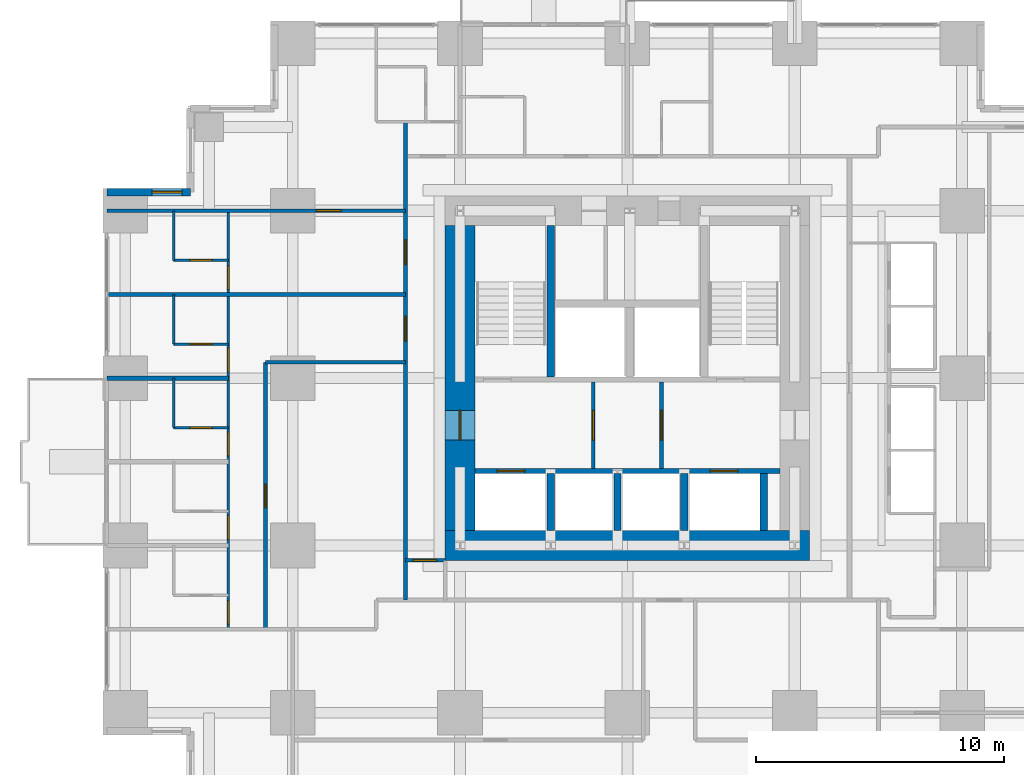
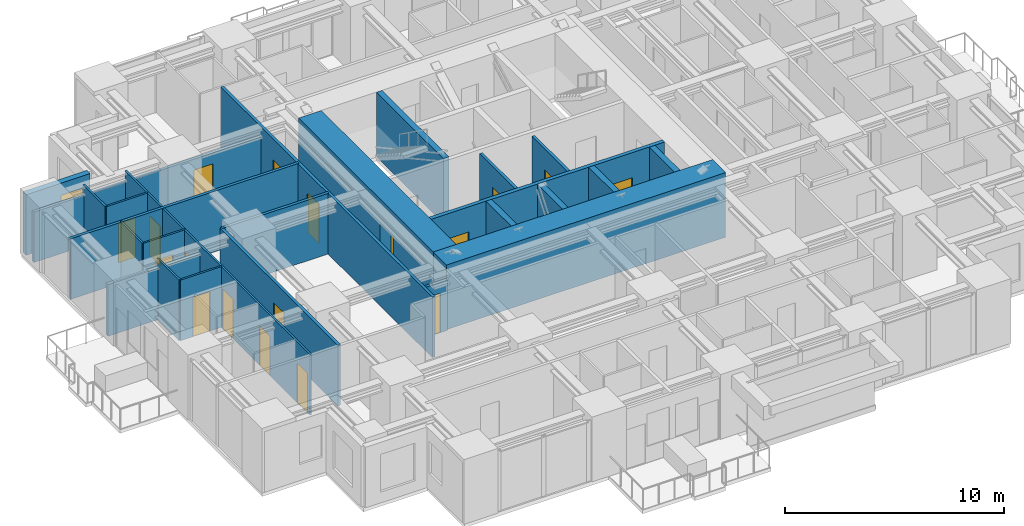
# One storey, part 8 of 13: 25 walls, 18 doors, 1 window, 19 openings.
"""IFC4 building model written with IfcOpenShell, lengths in metres."""

from ifc_helpers import new_model, si_unit, direction, frame, frame_2d, origin, place, context, subcontext, project, spatial, rectangle, extrude, material, layer, layer_set, type_object, element, fill, save


model = new_model("IFC4")

# Units and contexts
model_context = context("Model", 3, precision=1e-05, world=origin(), true_north=direction((0.0, 1.0)))
body_context = subcontext(model_context, "Body", "Model", "MODEL_VIEW")
ifc_project = project(units=[si_unit("LENGTHUNIT", "METRE"), si_unit("AREAUNIT", "SQUARE_METRE"), si_unit("VOLUMEUNIT", "CUBIC_METRE"), si_unit("PLANEANGLEUNIT", "RADIAN"), si_unit("MASSUNIT", "GRAM", prefix="KILO")], contexts=[model_context])

# Site, building, storey
site_placement = place(None, origin())
site = spatial("IfcSite", under=ifc_project, at=site_placement, CompositionType="ELEMENT")
building_placement = place(site_placement, origin())
building = spatial("IfcBuilding", under=site, at=building_placement, Name="Nyansa Garden Tower", CompositionType="ELEMENT")
storey_placement = place(building_placement, frame((0.0, 0.0, 94.5)))
storey = spatial("IfcBuildingStorey", under=building, at=storey_placement, Name="L25", CompositionType="ELEMENT", Elevation=94.5)

# Wall
ifc_material_1 = material(Name="Dense blockwork, plastered both sides, 55 dB", Category="masonry")
ifc_layer_1 = layer(ifc_material_1, 0.175048828125)
ifc_layer_set_1 = layer_set([ifc_layer_1], Name="Acoustic party wall PW175")
wall_type_1 = type_object("IfcWallType", Name="Acoustic party wall PW175", PredefinedType="PARTITIONING", material=ifc_layer_set_1)
wall_1_placement = place(storey_placement, frame((-0.73388671875, 20.25, 0.0), z_axis=(0.0, 0.0, 1.0), x_axis=(1.0, 0.0, 0.0)))
element("IfcWall", 1, at=wall_1_placement, inside=storey, type_object=wall_type_1, Name="Party wall", PredefinedType="PARTITIONING", context=body_context, shape_type="SweptSolid", body=[
    extrude(rectangle(XDim=4.8837890625, YDim=0.175048828125, at=frame_2d((2.44189453125, 0.0))), origin(), (0.0, 0.0, 1.0), 2.876953125),
])

# Wall, openings, doors
ifc_material_2 = material(Name="Concrete C70/85", Category="concrete")
ifc_layer_2 = layer(ifc_material_2, 0.199951171875)
ifc_layer_set_2 = layer_set([ifc_layer_2], Name="Core inner wall CI200")
wall_type_2 = type_object("IfcWallType", Name="Core inner wall CI200", PredefinedType="SHEAR", material=ifc_layer_set_2)
wall_2_placement = place(storey_placement, frame((14.10009765625, 16.5, 0.0), z_axis=(0.0, 0.0, 1.0), x_axis=(1.0, 0.0, 0.0)))
wall_2 = element("IfcWall", 2, at=wall_2_placement, inside=storey, type_object=wall_type_2, Name="Core inner wall L25", PredefinedType="SHEAR", context=body_context, shape_type="SweptSolid", body=[
    extrude(rectangle(XDim=12.2998046875, YDim=0.199951171875, at=frame_2d((6.14990234375, 0.0))), origin(), (0.0, 0.0, 1.0), 3.60009765625),
])
opening_1_placement = place(wall_2_placement, frame((0.89990234375, 0.0, 0.0)))
opening_1 = element("IfcOpeningElement", 3, at=opening_1_placement, cuts=wall_2, Name="Opening LD-F", PredefinedType="OPENING", context=body_context, shape_type="SweptSolid", body=[
    extrude(rectangle(XDim=1.10009765625, YDim=2.199951171875, at=frame_2d((0.550048828125, 1.10009765625))), frame((0.0, 0.10986328125, 0.0), z_axis=(0.0, -1.0, 0.0), x_axis=(1.0, 0.0, 0.0)), (0.0, 0.0, 1.0), 0.219970703125),
])
opening_2_placement = place(wall_2_placement, frame((9.5, 0.0, 0.0)))
opening_2 = element("IfcOpeningElement", 4, at=opening_2_placement, cuts=wall_2, Name="Opening LD-F", PredefinedType="OPENING", context=body_context, shape_type="SweptSolid", body=[
    extrude(rectangle(XDim=1.10009765625, YDim=2.199951171875, at=frame_2d((0.550048828125, 1.10009765625))), frame((0.0, 0.10986328125, 0.0), z_axis=(0.0, -1.0, 0.0), x_axis=(1.0, 0.0, 0.0)), (0.0, 0.0, 1.0), 0.219970703125),
])
ifc_material_3 = material(Name="Stainless steel centre-opening landing door of the firefighting lift, EN 81-72, E 120", Category="steel")
door_type_1 = type_object("IfcDoorType", Name="Lift landing door LD-F 1100x2200", OperationType="DOUBLE_DOOR_SLIDING", PredefinedType="DOOR", material=ifc_material_3)
door_1_placement = place(opening_1_placement, origin())
door_1 = element("IfcDoor", 5, at=door_1_placement, inside=storey, type_object=door_type_1, Name="Landing door FF1", OperationType="DOUBLE_DOOR_SLIDING", OverallHeight=2.199951171875, OverallWidth=1.10009765625, PredefinedType="DOOR", context=body_context, shape_type="SweptSolid", body=[
    extrude(rectangle(XDim=1.10009765625, YDim=2.199951171875, at=frame_2d((0.550048828125, 1.10009765625))), frame((0.0, 0.02490234375, 0.0), z_axis=(0.0, -1.0, 0.0), x_axis=(1.0, 0.0, 0.0)), (0.0, 0.0, 1.0), 0.050048828125),
])
fill(opening_1, door_1)
door_2_placement = place(opening_2_placement, origin())
door_2 = element("IfcDoor", 6, at=door_2_placement, inside=storey, type_object=door_type_1, Name="Landing door FF2", OperationType="DOUBLE_DOOR_SLIDING", OverallHeight=2.199951171875, OverallWidth=1.10009765625, PredefinedType="DOOR", context=body_context, shape_type="SweptSolid", body=[
    extrude(rectangle(XDim=1.10009765625, YDim=2.199951171875, at=frame_2d((0.550048828125, 1.10009765625))), frame((0.0, 0.02490234375, 0.0), z_axis=(0.0, -1.0, 0.0), x_axis=(1.0, 0.0, 0.0)), (0.0, 0.0, 1.0), 0.050048828125),
])
fill(opening_2, door_2)

# Walls
ifc_material_4 = material(Name="Concrete C70/85", Category="concrete")
ifc_layer_3 = layer(ifc_material_4, 0.300048828125)
ifc_layer_set_3 = layer_set([ifc_layer_3], Name="Core inner wall CI300")
wall_type_3 = type_object("IfcWallType", Name="Core inner wall CI300", PredefinedType="SHEAR", material=ifc_layer_set_3)
wall_3_placement = place(storey_placement, frame((17.14990234375, 20.300048828125, 0.0), z_axis=(0.0, 0.0, 1.0), x_axis=(0.0, 1.0, 0.0)))
element("IfcWall", 7, at=wall_3_placement, inside=storey, type_object=wall_type_3, Name="Core inner wall L25", PredefinedType="SHEAR", context=body_context, shape_type="SweptSolid", body=[
    extrude(rectangle(XDim=6.099853515625, YDim=0.300048828125, at=frame_2d((3.0498046875, 0.0))), origin(), (0.0, 0.0, 1.0), 3.60009765625),
])
for number, where, z_axis, x_axis, name in (
    (8, (17.14990234375, 14.10009765625, 0.0), (0.0, 0.0, 1.0), (0.0, 1.0, 0.0), "Core inner wall L25"),
    (9, (19.85009765625, 14.10009765625, 0.0), (0.0, 0.0, 1.0), (0.0, 1.0, 0.0), "Core inner wall L25"),
    (10, (22.550048828125, 14.10009765625, 0.0), (0.0, 0.0, 1.0), (0.0, 1.0, 0.0), "Core inner wall L25"),
    (11, (25.75, 14.10009765625, 0.0), (0.0, 0.0, 1.0), (0.0, 1.0, 0.0), "Core inner wall L25"),
):
    element("IfcWall", number, at=place(storey_placement, frame(where, z_axis=z_axis, x_axis=x_axis)), inside=storey, type_object=wall_type_3, Name=name, PredefinedType="SHEAR", context=body_context, shape_type="SweptSolid", body=[
        extrude(rectangle(XDim=2.2998046875, YDim=0.300048828125, at=frame_2d((1.14990234375, 0.0))), origin(), (0.0, 0.0, 1.0), 3.60009765625),
    ])
ifc_material_5 = material(Name="Concrete C80/95", Category="concrete")
ifc_layer_4 = layer(ifc_material_5, 1.199951171875)
ifc_layer_set_4 = layer_set([ifc_layer_4], Name="Core wall CW1200")
wall_type_4 = type_object("IfcWallType", Name="Core wall CW1200", PredefinedType="SHEAR", material=ifc_layer_set_4)
wall_4_placement = place(storey_placement, frame((12.89990234375, 13.5, 0.0), z_axis=(0.0, 0.0, 1.0), x_axis=(1.0, 0.0, 0.0)))
element("IfcWall", 12, at=wall_4_placement, inside=storey, type_object=wall_type_4, Name="Core wall S L25", PredefinedType="SHEAR", context=body_context, shape_type="SweptSolid", body=[
    extrude(rectangle(XDim=14.7001953125, YDim=1.199951171875, at=frame_2d((7.35009765625, 0.0))), origin(), (0.0, 0.0, 1.0), 3.60009765625),
])

# Wall, opening, door
wall_5_placement = place(storey_placement, frame((13.5, 26.39990234375, 0.0), z_axis=(0.0, 0.0, 1.0), x_axis=(0.0, -1.0, 0.0)))
wall_5 = element("IfcWall", 13, at=wall_5_placement, inside=storey, type_object=wall_type_4, Name="Core wall W L25", PredefinedType="SHEAR", context=body_context, shape_type="SweptSolid", body=[
    extrude(rectangle(XDim=12.2998046875, YDim=1.199951171875, at=frame_2d((6.14990234375, 0.0))), origin(), (0.0, 0.0, 1.0), 3.60009765625),
])
opening_3_placement = place(wall_5_placement, frame((7.449951171875, 0.0, 0.0)))
opening_3 = element("IfcOpeningElement", 14, at=opening_3_placement, cuts=wall_5, Name="Opening D06", PredefinedType="OPENING", context=body_context, shape_type="SweptSolid", body=[
    extrude(rectangle(XDim=1.199951171875, YDim=2.199951171875, at=frame_2d((0.60009765625, 1.10009765625))), frame((0.0, 0.60986328125, 0.0), z_axis=(0.0, -1.0, 0.0), x_axis=(1.0, 0.0, 0.0)), (0.0, 0.0, 1.0), 1.219970703125),
])
ifc_material_6 = material(Name="Steel door, 120 minute fire resisting", Category="steel")
door_type_2 = type_object("IfcDoorType", Name="Lobby door D06 1200x2200", OperationType="DOUBLE_DOOR_SINGLE_SWING", PredefinedType="DOOR", material=ifc_material_6)
door_3_placement = place(opening_3_placement, origin())
door_3 = element("IfcDoor", 15, at=door_3_placement, inside=storey, type_object=door_type_2, Name="Lift lobby door west", OperationType="DOUBLE_DOOR_SINGLE_SWING", OverallHeight=2.199951171875, OverallWidth=1.199951171875, PredefinedType="DOOR", context=body_context, shape_type="SweptSolid", body=[
    extrude(rectangle(XDim=1.199951171875, YDim=2.199951171875, at=frame_2d((0.60009765625, 1.10009765625))), frame((0.0, 0.02490234375, 0.0), z_axis=(0.0, -1.0, 0.0), x_axis=(1.0, 0.0, 0.0)), (0.0, 0.0, 1.0), 0.050048828125),
])
fill(opening_3, door_3)

ifc_material_7 = material(Name="Blockwork, plastered both sides", Category="masonry")
ifc_layer_5 = layer(ifc_material_7, 0.14990234375)
ifc_layer_set_5 = layer_set([ifc_layer_5], Name="Partition PW150")
wall_type_5 = type_object("IfcWallType", Name="Partition PW150", PredefinedType="PARTITIONING", material=ifc_layer_set_5)
wall_6_placement = place(storey_placement, frame((18.875, 16.60009765625, 0.0), z_axis=(0.0, 0.0, 1.0), x_axis=(0.0, 1.0, 0.0)))
wall_6 = element("IfcWall", 16, at=wall_6_placement, inside=storey, type_object=wall_type_5, Name="Partition", PredefinedType="PARTITIONING", context=body_context, shape_type="SweptSolid", body=[
    extrude(rectangle(XDim=3.5, YDim=0.14990234375, at=frame_2d((1.75, 0.0))), origin(), (0.0, 0.0, 1.0), 3.375),
])
opening_4_placement = place(wall_6_placement, frame((1.14990234375, 0.0, 0.0)))
opening_4 = element("IfcOpeningElement", 17, at=opening_4_placement, cuts=wall_6, Name="Opening D06", PredefinedType="OPENING", context=body_context, shape_type="SweptSolid", body=[
    extrude(rectangle(XDim=1.199951171875, YDim=2.199951171875, at=frame_2d((0.60009765625, 1.10009765625))), frame((0.0, 0.0849609375, 0.0), z_axis=(0.0, -1.0, 0.0), x_axis=(1.0, 0.0, 0.0)), (0.0, 0.0, 1.0), 0.169921875),
])
door_4_placement = place(opening_4_placement, origin())
door_4 = element("IfcDoor", 18, at=door_4_placement, inside=storey, type_object=door_type_2, Name="Passenger lift lobby door", OperationType="DOUBLE_DOOR_SINGLE_SWING", OverallHeight=2.199951171875, OverallWidth=1.199951171875, PredefinedType="DOOR", context=body_context, shape_type="SweptSolid", body=[
    extrude(rectangle(XDim=1.199951171875, YDim=2.199951171875, at=frame_2d((0.60009765625, 1.10009765625))), frame((0.0, 0.02490234375, 0.0), z_axis=(0.0, -1.0, 0.0), x_axis=(1.0, 0.0, 0.0)), (0.0, 0.0, 1.0), 0.050048828125),
])
fill(opening_4, door_4)

wall_7_placement = place(storey_placement, frame((21.625, 16.60009765625, 0.0), z_axis=(0.0, 0.0, 1.0), x_axis=(0.0, 1.0, 0.0)))
wall_7 = element("IfcWall", 19, at=wall_7_placement, inside=storey, type_object=wall_type_5, Name="Partition", PredefinedType="PARTITIONING", context=body_context, shape_type="SweptSolid", body=[
    extrude(rectangle(XDim=3.5, YDim=0.14990234375, at=frame_2d((1.75, 0.0))), origin(), (0.0, 0.0, 1.0), 3.375),
])
opening_5_placement = place(wall_7_placement, frame((1.14990234375, 0.0, 0.0)))
opening_5 = element("IfcOpeningElement", 20, at=opening_5_placement, cuts=wall_7, Name="Opening D06", PredefinedType="OPENING", context=body_context, shape_type="SweptSolid", body=[
    extrude(rectangle(XDim=1.199951171875, YDim=2.199951171875, at=frame_2d((0.60009765625, 1.10009765625))), frame((0.0, 0.0849609375, 0.0), z_axis=(0.0, -1.0, 0.0), x_axis=(1.0, 0.0, 0.0)), (0.0, 0.0, 1.0), 0.169921875),
])
door_5_placement = place(opening_5_placement, origin())
door_5 = element("IfcDoor", 21, at=door_5_placement, inside=storey, type_object=door_type_2, Name="Passenger lift lobby door", OperationType="DOUBLE_DOOR_SINGLE_SWING", OverallHeight=2.199951171875, OverallWidth=1.199951171875, PredefinedType="DOOR", context=body_context, shape_type="SweptSolid", body=[
    extrude(rectangle(XDim=1.199951171875, YDim=2.199951171875, at=frame_2d((0.60009765625, 1.10009765625))), frame((0.0, 0.02490234375, 0.0), z_axis=(0.0, -1.0, 0.0), x_axis=(1.0, 0.0, 0.0)), (0.0, 0.0, 1.0), 0.050048828125),
])
fill(opening_5, door_5)

# Wall
wall_8_placement = place(storey_placement, frame((-0.73388671875, 23.625, 0.0), z_axis=(0.0, 0.0, 1.0), x_axis=(1.0, 0.0, 0.0)))
element("IfcWall", 22, at=wall_8_placement, inside=storey, type_object=wall_type_5, Name="Partition", PredefinedType="PARTITIONING", context=body_context, shape_type="SweptSolid", body=[
    extrude(rectangle(XDim=12.033935546875, YDim=0.14990234375, at=frame_2d((6.01708984375, 0.0))), origin(), (0.0, 0.0, 1.0), 3.375),
])

# Wall, opening, door
wall_9_placement = place(storey_placement, frame((-0.73388671875, 27.0, 0.0), z_axis=(0.0, 0.0, 1.0), x_axis=(1.0, 0.0, 0.0)))
wall_9 = element("IfcWall", 23, at=wall_9_placement, inside=storey, type_object=wall_type_5, Name="Partition", PredefinedType="PARTITIONING", context=body_context, shape_type="SweptSolid", body=[
    extrude(rectangle(XDim=12.033935546875, YDim=0.14990234375, at=frame_2d((6.01708984375, 0.0))), origin(), (0.0, 0.0, 1.0), 2.805908203125),
])
opening_6_placement = place(wall_9_placement, frame((8.43408203125, 0.0, 0.0)))
opening_6 = element("IfcOpeningElement", 24, at=opening_6_placement, cuts=wall_9, Name="Opening D03", PredefinedType="OPENING", context=body_context, shape_type="SweptSolid", body=[
    extrude(rectangle(XDim=1.0, YDim=2.199951171875, at=frame_2d((0.5, 1.10009765625))), frame((0.0, 0.0849609375, 0.0), z_axis=(0.0, -1.0, 0.0), x_axis=(1.0, 0.0, 0.0)), (0.0, 0.0, 1.0), 0.169921875),
])
ifc_material_8 = material(Name="Timber flush door, 60 minute fire resisting", Category="wood")
door_type_3 = type_object("IfcDoorType", Name="Cluster entrance door D03 1000x2200", OperationType="SINGLE_SWING_LEFT", PredefinedType="DOOR", material=ifc_material_8)
door_6_placement = place(opening_6_placement, origin())
door_6 = element("IfcDoor", 25, at=door_6_placement, inside=storey, type_object=door_type_3, Name="Door L25-051", OperationType="SINGLE_SWING_LEFT", OverallHeight=2.199951171875, OverallWidth=1.0, PredefinedType="DOOR", context=body_context, shape_type="SweptSolid", body=[
    extrude(rectangle(XDim=1.0, YDim=2.199951171875, at=frame_2d((0.5, 1.10009765625))), frame((0.0, 0.02490234375, 0.0), z_axis=(0.0, -1.0, 0.0), x_axis=(1.0, 0.0, 0.0)), (0.0, 0.0, 1.0), 0.050048828125),
])
fill(opening_6, door_6)

wall_10_placement = place(storey_placement, frame((5.64990234375, 10.125, 0.0), z_axis=(0.0, 0.0, 1.0), x_axis=(0.0, 1.0, 0.0)))
wall_10 = element("IfcWall", 26, at=wall_10_placement, inside=storey, type_object=wall_type_5, Name="Partition", PredefinedType="PARTITIONING", context=body_context, shape_type="SweptSolid", body=[
    extrude(rectangle(XDim=10.762451171875, YDim=0.14990234375, at=frame_2d((5.38134765625, 0.0))), origin(), (0.0, 0.0, 1.0), 3.375),
])
opening_7_placement = place(wall_10_placement, frame((4.89990234375, 0.0, 0.0)))
opening_7 = element("IfcOpeningElement", 27, at=opening_7_placement, cuts=wall_10, Name="Opening D01", PredefinedType="OPENING", context=body_context, shape_type="SweptSolid", body=[
    extrude(rectangle(XDim=0.949951171875, YDim=2.199951171875, at=frame_2d((0.47509765625, 1.10009765625))), frame((0.0, 0.0849609375, 0.0), z_axis=(0.0, -1.0, 0.0), x_axis=(1.0, 0.0, 0.0)), (0.0, 0.0, 1.0), 0.169921875),
])
ifc_material_9 = material(Name="Timber flush door, 30 minute fire resisting", Category="wood")
door_type_4 = type_object("IfcDoorType", Name="Bedroom door D01 950x2200", OperationType="SINGLE_SWING_LEFT", PredefinedType="DOOR", material=ifc_material_9)
door_7_placement = place(opening_7_placement, origin())
door_7 = element("IfcDoor", 28, at=door_7_placement, inside=storey, type_object=door_type_4, Name="Door L25-064", OperationType="SINGLE_SWING_LEFT", OverallHeight=2.199951171875, OverallWidth=0.949951171875, PredefinedType="DOOR", context=body_context, shape_type="SweptSolid", body=[
    extrude(rectangle(XDim=0.949951171875, YDim=2.199951171875, at=frame_2d((0.47509765625, 1.10009765625))), frame((0.0, 0.02490234375, 0.0), z_axis=(0.0, -1.0, 0.0), x_axis=(1.0, 0.0, 0.0)), (0.0, 0.0, 1.0), 0.050048828125),
])
fill(opening_7, door_7)

# Wall
wall_11_placement = place(storey_placement, frame((5.64990234375, 20.886962890625, 0.0), z_axis=(0.0, 0.0, 1.0), x_axis=(1.0, 0.0, 0.0)))
element("IfcWall", 29, at=wall_11_placement, inside=storey, type_object=wall_type_5, Name="Partition", PredefinedType="PARTITIONING", context=body_context, shape_type="SweptSolid", body=[
    extrude(rectangle(XDim=5.650146484375, YDim=0.14990234375, at=frame_2d((2.8251953125, 0.0))), origin(), (0.0, 0.0, 1.0), 3.375),
])

# Wall, openings, doors
wall_12_placement = place(storey_placement, frame((11.300048828125, 11.300048828125, 0.0), z_axis=(0.0, 0.0, 1.0), x_axis=(0.0, 1.0, 0.0)))
wall_12 = element("IfcWall", 30, at=wall_12_placement, inside=storey, type_object=wall_type_5, Name="Partition", PredefinedType="PARTITIONING", context=body_context, shape_type="SweptSolid", body=[
    extrude(rectangle(XDim=19.300048828125, YDim=0.14990234375, at=frame_2d((9.64990234375, 0.0))), origin(), (0.0, 0.0, 1.0), 3.375),
])
opening_8_placement = place(wall_12_placement, frame((13.52490234375, 0.0, 0.0)))
opening_8 = element("IfcOpeningElement", 31, at=opening_8_placement, cuts=wall_12, Name="Opening D03", PredefinedType="OPENING", context=body_context, shape_type="SweptSolid", body=[
    extrude(rectangle(XDim=1.0, YDim=2.199951171875, at=frame_2d((0.5, 1.10009765625))), frame((0.0, 0.0849609375, 0.0), z_axis=(0.0, -1.0, 0.0), x_axis=(1.0, 0.0, 0.0)), (0.0, 0.0, 1.0), 0.169921875),
])
opening_9_placement = place(wall_12_placement, frame((10.4375, 0.0, 0.0)))
opening_9 = element("IfcOpeningElement", 32, at=opening_9_placement, cuts=wall_12, Name="Opening D03", PredefinedType="OPENING", context=body_context, shape_type="SweptSolid", body=[
    extrude(rectangle(XDim=1.0, YDim=2.199951171875, at=frame_2d((0.5, 1.10009765625))), frame((0.0, 0.0849609375, 0.0), z_axis=(0.0, -1.0, 0.0), x_axis=(1.0, 0.0, 0.0)), (0.0, 0.0, 1.0), 0.169921875),
])
door_8_placement = place(opening_8_placement, origin())
door_8 = element("IfcDoor", 33, at=door_8_placement, inside=storey, type_object=door_type_3, Name="Door L25-054", OperationType="SINGLE_SWING_LEFT", OverallHeight=2.199951171875, OverallWidth=1.0, PredefinedType="DOOR", context=body_context, shape_type="SweptSolid", body=[
    extrude(rectangle(XDim=1.0, YDim=2.199951171875, at=frame_2d((0.5, 1.10009765625))), frame((0.0, 0.02490234375, 0.0), z_axis=(0.0, -1.0, 0.0), x_axis=(1.0, 0.0, 0.0)), (0.0, 0.0, 1.0), 0.050048828125),
])
fill(opening_8, door_8)
door_9_placement = place(opening_9_placement, origin())
door_9 = element("IfcDoor", 34, at=door_9_placement, inside=storey, type_object=door_type_3, Name="Door L25-063", OperationType="SINGLE_SWING_LEFT", OverallHeight=2.199951171875, OverallWidth=1.0, PredefinedType="DOOR", context=body_context, shape_type="SweptSolid", body=[
    extrude(rectangle(XDim=1.0, YDim=2.199951171875, at=frame_2d((0.5, 1.10009765625))), frame((0.0, 0.02490234375, 0.0), z_axis=(0.0, -1.0, 0.0), x_axis=(1.0, 0.0, 0.0)), (0.0, 0.0, 1.0), 0.050048828125),
])
fill(opening_9, door_9)

# Wall, opening, door
wall_13_placement = place(storey_placement, frame((11.300048828125, 12.89990234375, 0.0), z_axis=(0.0, 0.0, 1.0), x_axis=(1.0, 0.0, 0.0)))
wall_13 = element("IfcWall", 35, at=wall_13_placement, inside=storey, type_object=wall_type_5, Name="Partition", PredefinedType="PARTITIONING", context=body_context, shape_type="SweptSolid", body=[
    extrude(rectangle(XDim=1.599853515625, YDim=0.14990234375, at=frame_2d((0.7998046875, 0.0))), origin(), (0.0, 0.0, 1.0), 2.805908203125),
])
opening_10_placement = place(wall_13_placement, frame((0.300048828125, 0.0, 0.0)))
opening_10 = element("IfcOpeningElement", 36, at=opening_10_placement, cuts=wall_13, Name="Opening D01", PredefinedType="OPENING", context=body_context, shape_type="SweptSolid", body=[
    extrude(rectangle(XDim=0.949951171875, YDim=2.199951171875, at=frame_2d((0.47509765625, 1.10009765625))), frame((0.0, 0.0849609375, 0.0), z_axis=(0.0, -1.0, 0.0), x_axis=(1.0, 0.0, 0.0)), (0.0, 0.0, 1.0), 0.169921875),
])
door_10_placement = place(opening_10_placement, origin())
door_10 = element("IfcDoor", 37, at=door_10_placement, inside=storey, type_object=door_type_4, Name="Door L25-016", OperationType="SINGLE_SWING_LEFT", OverallHeight=2.199951171875, OverallWidth=0.949951171875, PredefinedType="DOOR", context=body_context, shape_type="SweptSolid", body=[
    extrude(rectangle(XDim=0.949951171875, YDim=2.199951171875, at=frame_2d((0.47509765625, 1.10009765625))), frame((0.0, 0.02490234375, 0.0), z_axis=(0.0, -1.0, 0.0), x_axis=(1.0, 0.0, 0.0)), (0.0, 0.0, 1.0), 0.050048828125),
])
fill(opening_10, door_10)

# Wall, opening, window
ifc_material_10 = material(Name="Turquoise glazed tile on concrete blockwork", Category="masonry")
ifc_layer_6 = layer(ifc_material_10, 0.300048828125)
ifc_layer_set_6 = layer_set([ifc_layer_6], Name="Tiled corner wall TW300")
wall_type_6 = type_object("IfcWallType", Name="Tiled corner wall TW300", PredefinedType="SOLIDWALL", material=ifc_layer_set_6)
wall_14_placement = place(storey_placement, frame((2.625, 27.75, 0.0), z_axis=(0.0, 0.0, 1.0), x_axis=(-1.0, 0.0, 0.0)))
wall_14 = element("IfcWall", 38, at=wall_14_placement, inside=storey, type_object=wall_type_6, Name="Tiled corner wall L25", PredefinedType="SOLIDWALL", context=body_context, shape_type="SweptSolid", body=[
    extrude(rectangle(XDim=3.375, YDim=0.300048828125, at=frame_2d((1.6875, 0.0))), origin(), (0.0, 0.0, 1.0), 3.375),
])
opening_11_placement = place(wall_14_placement, frame((0.342529296875, 0.0, 0.89990234375)))
opening_11 = element("IfcOpeningElement", 39, at=opening_11_placement, cuts=wall_14, Name="Opening W4", PredefinedType="OPENING", context=body_context, shape_type="SweptSolid", body=[
    extrude(rectangle(XDim=1.199951171875, YDim=1.800048828125, at=frame_2d((0.60009765625, 0.89990234375))), frame((0.0, 0.159912109375, 0.0), z_axis=(0.0, -1.0, 0.0), x_axis=(1.0, 0.0, 0.0)), (0.0, 0.0, 1.0), 0.320068359375),
])
ifc_material_11 = material(Name="Black aluminium frame, dark tinted double glazing", Category="aluminium")
window_type = type_object("IfcWindowType", Name="Window W4 1200x1800", PartitioningType="SINGLE_PANEL", PredefinedType="WINDOW", material=ifc_material_11)
window_placement = place(opening_11_placement, origin())
window = element("IfcWindow", 40, at=window_placement, inside=storey, type_object=window_type, Name="Corner window L25", OverallHeight=1.800048828125, OverallWidth=1.199951171875, PartitioningType="SINGLE_PANEL", PredefinedType="WINDOW", context=body_context, shape_type="SweptSolid", body=[
    extrude(rectangle(XDim=1.199951171875, YDim=1.800048828125, at=frame_2d((0.60009765625, 0.89990234375))), frame((0.0, 0.030029296875, 0.0), z_axis=(0.0, -1.0, 0.0), x_axis=(1.0, 0.0, 0.0)), (0.0, 0.0, 1.0), 0.06005859375),
])
fill(opening_11, window)

# Wall
ifc_material_12 = material(Name="Moisture resistant board on steel studs, tiled", Category="steel")
ifc_layer_7 = layer(ifc_material_12, 0.10009765625)
ifc_layer_set_7 = layer_set([ifc_layer_7], Name="Wet wall PW100")
wall_type_7 = type_object("IfcWallType", Name="Wet wall PW100", PredefinedType="PARTITIONING", material=ifc_layer_set_7)
wall_15_placement = place(storey_placement, frame((1.949951171875, 18.25, 0.0), z_axis=(0.0, 0.0, 1.0), x_axis=(0.0, 1.0, 0.0)))
element("IfcWall", 41, at=wall_15_placement, inside=storey, type_object=wall_type_7, Name="Wet wall", PredefinedType="PARTITIONING", context=body_context, shape_type="SweptSolid", body=[
    extrude(rectangle(XDim=2.0, YDim=0.10009765625, at=frame_2d((1.0, 0.0))), origin(), (0.0, 0.0, 1.0), 3.375),
])

# Wall, opening, door
wall_16_placement = place(storey_placement, frame((1.949951171875, 18.25, 0.0), z_axis=(0.0, 0.0, 1.0), x_axis=(1.0, 0.0, 0.0)))
wall_16 = element("IfcWall", 42, at=wall_16_placement, inside=storey, type_object=wall_type_7, Name="Wet wall", PredefinedType="PARTITIONING", context=body_context, shape_type="SweptSolid", body=[
    extrude(rectangle(XDim=2.199951171875, YDim=0.10009765625, at=frame_2d((1.10009765625, 0.0))), origin(), (0.0, 0.0, 1.0), 3.375),
])
opening_12_placement = place(wall_16_placement, frame((0.64990234375, 0.0, 0.0)))
opening_12 = element("IfcOpeningElement", 43, at=opening_12_placement, cuts=wall_16, Name="Opening D02", PredefinedType="OPENING", context=body_context, shape_type="SweptSolid", body=[
    extrude(rectangle(XDim=0.89990234375, YDim=2.199951171875, at=frame_2d((0.449951171875, 1.10009765625))), frame((0.0, 0.06005859375, 0.0), z_axis=(0.0, -1.0, 0.0), x_axis=(1.0, 0.0, 0.0)), (0.0, 0.0, 1.0), 0.1201171875),
])
ifc_material_13 = material(Name="Timber flush door", Category="wood")
door_type_5 = type_object("IfcDoorType", Name="En-suite door D02 900x2200", OperationType="SINGLE_SWING_RIGHT", PredefinedType="DOOR", material=ifc_material_13)
door_11_placement = place(opening_12_placement, origin())
door_11 = element("IfcDoor", 44, at=door_11_placement, inside=storey, type_object=door_type_5, Name="Door L25-060", OperationType="SINGLE_SWING_RIGHT", OverallHeight=2.199951171875, OverallWidth=0.89990234375, PredefinedType="DOOR", context=body_context, shape_type="SweptSolid", body=[
    extrude(rectangle(XDim=0.89990234375, YDim=2.199951171875, at=frame_2d((0.449951171875, 1.10009765625))), frame((0.0, 0.02490234375, 0.0), z_axis=(0.0, -1.0, 0.0), x_axis=(1.0, 0.0, 0.0)), (0.0, 0.0, 1.0), 0.050048828125),
])
fill(opening_12, door_11)

# Wall
wall_17_placement = place(storey_placement, frame((1.949951171875, 21.625, 0.0), z_axis=(0.0, 0.0, 1.0), x_axis=(0.0, 1.0, 0.0)))
element("IfcWall", 45, at=wall_17_placement, inside=storey, type_object=wall_type_7, Name="Wet wall", PredefinedType="PARTITIONING", context=body_context, shape_type="SweptSolid", body=[
    extrude(rectangle(XDim=2.0, YDim=0.10009765625, at=frame_2d((1.0, 0.0))), origin(), (0.0, 0.0, 1.0), 3.375),
])

# Wall, opening, door
wall_18_placement = place(storey_placement, frame((1.949951171875, 21.625, 0.0), z_axis=(0.0, 0.0, 1.0), x_axis=(1.0, 0.0, 0.0)))
wall_18 = element("IfcWall", 46, at=wall_18_placement, inside=storey, type_object=wall_type_7, Name="Wet wall", PredefinedType="PARTITIONING", context=body_context, shape_type="SweptSolid", body=[
    extrude(rectangle(XDim=2.199951171875, YDim=0.10009765625, at=frame_2d((1.10009765625, 0.0))), origin(), (0.0, 0.0, 1.0), 3.375),
])
opening_13_placement = place(wall_18_placement, frame((0.64990234375, 0.0, 0.0)))
opening_13 = element("IfcOpeningElement", 47, at=opening_13_placement, cuts=wall_18, Name="Opening D02", PredefinedType="OPENING", context=body_context, shape_type="SweptSolid", body=[
    extrude(rectangle(XDim=0.89990234375, YDim=2.199951171875, at=frame_2d((0.449951171875, 1.10009765625))), frame((0.0, 0.06005859375, 0.0), z_axis=(0.0, -1.0, 0.0), x_axis=(1.0, 0.0, 0.0)), (0.0, 0.0, 1.0), 0.1201171875),
])
door_12_placement = place(opening_13_placement, origin())
door_12 = element("IfcDoor", 48, at=door_12_placement, inside=storey, type_object=door_type_5, Name="Door L25-062", OperationType="SINGLE_SWING_RIGHT", OverallHeight=2.199951171875, OverallWidth=0.89990234375, PredefinedType="DOOR", context=body_context, shape_type="SweptSolid", body=[
    extrude(rectangle(XDim=0.89990234375, YDim=2.199951171875, at=frame_2d((0.449951171875, 1.10009765625))), frame((0.0, 0.02490234375, 0.0), z_axis=(0.0, -1.0, 0.0), x_axis=(1.0, 0.0, 0.0)), (0.0, 0.0, 1.0), 0.050048828125),
])
fill(opening_13, door_12)

# Wall
wall_19_placement = place(storey_placement, frame((1.949951171875, 25.0, 0.0), z_axis=(0.0, 0.0, 1.0), x_axis=(0.0, 1.0, 0.0)))
element("IfcWall", 49, at=wall_19_placement, inside=storey, type_object=wall_type_7, Name="Wet wall", PredefinedType="PARTITIONING", context=body_context, shape_type="SweptSolid", body=[
    extrude(rectangle(XDim=2.0, YDim=0.10009765625, at=frame_2d((1.0, 0.0))), origin(), (0.0, 0.0, 1.0), 3.375),
])

# Wall, opening, door
wall_20_placement = place(storey_placement, frame((1.949951171875, 25.0, 0.0), z_axis=(0.0, 0.0, 1.0), x_axis=(1.0, 0.0, 0.0)))
wall_20 = element("IfcWall", 50, at=wall_20_placement, inside=storey, type_object=wall_type_7, Name="Wet wall", PredefinedType="PARTITIONING", context=body_context, shape_type="SweptSolid", body=[
    extrude(rectangle(XDim=2.199951171875, YDim=0.10009765625, at=frame_2d((1.10009765625, 0.0))), origin(), (0.0, 0.0, 1.0), 3.375),
])
opening_14_placement = place(wall_20_placement, frame((0.64990234375, 0.0, 0.0)))
opening_14 = element("IfcOpeningElement", 51, at=opening_14_placement, cuts=wall_20, Name="Opening D02", PredefinedType="OPENING", context=body_context, shape_type="SweptSolid", body=[
    extrude(rectangle(XDim=0.89990234375, YDim=2.199951171875, at=frame_2d((0.449951171875, 1.10009765625))), frame((0.0, 0.06005859375, 0.0), z_axis=(0.0, -1.0, 0.0), x_axis=(1.0, 0.0, 0.0)), (0.0, 0.0, 1.0), 0.1201171875),
])
door_13_placement = place(opening_14_placement, origin())
door_13 = element("IfcDoor", 52, at=door_13_placement, inside=storey, type_object=door_type_5, Name="Door L25-053", OperationType="SINGLE_SWING_RIGHT", OverallHeight=2.199951171875, OverallWidth=0.89990234375, PredefinedType="DOOR", context=body_context, shape_type="SweptSolid", body=[
    extrude(rectangle(XDim=0.89990234375, YDim=2.199951171875, at=frame_2d((0.449951171875, 1.10009765625))), frame((0.0, 0.02490234375, 0.0), z_axis=(0.0, -1.0, 0.0), x_axis=(1.0, 0.0, 0.0)), (0.0, 0.0, 1.0), 0.050048828125),
])
fill(opening_14, door_13)

# Wall, openings, doors
wall_21_placement = place(storey_placement, frame((4.14990234375, 10.125, 0.0), z_axis=(0.0, 0.0, 1.0), x_axis=(0.0, 1.0, 0.0)))
wall_21 = element("IfcWall", 53, at=wall_21_placement, inside=storey, type_object=wall_type_7, Name="Wet wall", PredefinedType="PARTITIONING", context=body_context, shape_type="SweptSolid", body=[
    extrude(rectangle(XDim=16.875, YDim=0.10009765625, at=frame_2d((8.4375, 0.0))), origin(), (0.0, 0.0, 1.0), 3.375),
])
opening_15_placement = place(wall_21_placement, frame((13.699951171875, 0.0, 0.0)))
opening_15 = element("IfcOpeningElement", 54, at=opening_15_placement, cuts=wall_21, Name="Opening D01", PredefinedType="OPENING", context=body_context, shape_type="SweptSolid", body=[
    extrude(rectangle(XDim=0.949951171875, YDim=2.199951171875, at=frame_2d((0.47509765625, 1.10009765625))), frame((0.0, 0.06005859375, 0.0), z_axis=(0.0, -1.0, 0.0), x_axis=(1.0, 0.0, 0.0)), (0.0, 0.0, 1.0), 0.1201171875),
])
opening_16_placement = place(wall_21_placement, frame((0.199951171875, 0.0, 0.0)))
opening_16 = element("IfcOpeningElement", 55, at=opening_16_placement, cuts=wall_21, Name="Opening D14", PredefinedType="OPENING", context=body_context, shape_type="SweptSolid", body=[
    extrude(rectangle(XDim=0.949951171875, YDim=2.199951171875, at=frame_2d((0.47509765625, 1.10009765625))), frame((0.0, 0.06005859375, 0.0), z_axis=(0.0, -1.0, 0.0), x_axis=(1.0, 0.0, 0.0)), (0.0, 0.0, 1.0), 0.1201171875),
])
opening_17_placement = place(wall_21_placement, frame((3.625, 0.0, 0.0)))
opening_17 = element("IfcOpeningElement", 56, at=opening_17_placement, cuts=wall_21, Name="Opening D14", PredefinedType="OPENING", context=body_context, shape_type="SweptSolid", body=[
    extrude(rectangle(XDim=0.949951171875, YDim=2.199951171875, at=frame_2d((0.47509765625, 1.10009765625))), frame((0.0, 0.06005859375, 0.0), z_axis=(0.0, -1.0, 0.0), x_axis=(1.0, 0.0, 0.0)), (0.0, 0.0, 1.0), 0.1201171875),
])
opening_18_placement = place(wall_21_placement, frame((7.0, 0.0, 0.0)))
opening_18 = element("IfcOpeningElement", 57, at=opening_18_placement, cuts=wall_21, Name="Opening D14", PredefinedType="OPENING", context=body_context, shape_type="SweptSolid", body=[
    extrude(rectangle(XDim=0.949951171875, YDim=2.199951171875, at=frame_2d((0.47509765625, 1.10009765625))), frame((0.0, 0.06005859375, 0.0), z_axis=(0.0, -1.0, 0.0), x_axis=(1.0, 0.0, 0.0)), (0.0, 0.0, 1.0), 0.1201171875),
])
opening_19_placement = place(wall_21_placement, frame((10.375, 0.0, 0.0)))
opening_19 = element("IfcOpeningElement", 58, at=opening_19_placement, cuts=wall_21, Name="Opening D14", PredefinedType="OPENING", context=body_context, shape_type="SweptSolid", body=[
    extrude(rectangle(XDim=0.949951171875, YDim=2.199951171875, at=frame_2d((0.47509765625, 1.10009765625))), frame((0.0, 0.06005859375, 0.0), z_axis=(0.0, -1.0, 0.0), x_axis=(1.0, 0.0, 0.0)), (0.0, 0.0, 1.0), 0.1201171875),
])
door_14_placement = place(opening_15_placement, origin())
door_14 = element("IfcDoor", 59, at=door_14_placement, inside=storey, type_object=door_type_4, Name="Door L25-052", OperationType="SINGLE_SWING_LEFT", OverallHeight=2.199951171875, OverallWidth=0.949951171875, PredefinedType="DOOR", context=body_context, shape_type="SweptSolid", body=[
    extrude(rectangle(XDim=0.949951171875, YDim=2.199951171875, at=frame_2d((0.47509765625, 1.10009765625))), frame((0.0, 0.02490234375, 0.0), z_axis=(0.0, -1.0, 0.0), x_axis=(1.0, 0.0, 0.0)), (0.0, 0.0, 1.0), 0.050048828125),
])
fill(opening_15, door_14)
ifc_material_14 = material(Name="Timber flush door, 60 minute fire resisting, self-closing", Category="wood")
door_type_6 = type_object("IfcDoorType", Name="Studio entrance door D14 950x2200", OperationType="SINGLE_SWING_LEFT", PredefinedType="DOOR", material=ifc_material_14)
door_15_placement = place(opening_16_placement, origin())
door_15 = element("IfcDoor", 60, at=door_15_placement, inside=storey, type_object=door_type_6, Name="Door L25-055", OperationType="SINGLE_SWING_LEFT", OverallHeight=2.199951171875, OverallWidth=0.949951171875, PredefinedType="DOOR", context=body_context, shape_type="SweptSolid", body=[
    extrude(rectangle(XDim=0.949951171875, YDim=2.199951171875, at=frame_2d((0.47509765625, 1.10009765625))), frame((0.0, 0.02490234375, 0.0), z_axis=(0.0, -1.0, 0.0), x_axis=(1.0, 0.0, 0.0)), (0.0, 0.0, 1.0), 0.050048828125),
])
fill(opening_16, door_15)
door_16_placement = place(opening_17_placement, origin())
door_16 = element("IfcDoor", 61, at=door_16_placement, inside=storey, type_object=door_type_6, Name="Door L25-057", OperationType="SINGLE_SWING_LEFT", OverallHeight=2.199951171875, OverallWidth=0.949951171875, PredefinedType="DOOR", context=body_context, shape_type="SweptSolid", body=[
    extrude(rectangle(XDim=0.949951171875, YDim=2.199951171875, at=frame_2d((0.47509765625, 1.10009765625))), frame((0.0, 0.02490234375, 0.0), z_axis=(0.0, -1.0, 0.0), x_axis=(1.0, 0.0, 0.0)), (0.0, 0.0, 1.0), 0.050048828125),
])
fill(opening_17, door_16)
door_17_placement = place(opening_18_placement, origin())
door_17 = element("IfcDoor", 62, at=door_17_placement, inside=storey, type_object=door_type_6, Name="Door L25-059", OperationType="SINGLE_SWING_LEFT", OverallHeight=2.199951171875, OverallWidth=0.949951171875, PredefinedType="DOOR", context=body_context, shape_type="SweptSolid", body=[
    extrude(rectangle(XDim=0.949951171875, YDim=2.199951171875, at=frame_2d((0.47509765625, 1.10009765625))), frame((0.0, 0.02490234375, 0.0), z_axis=(0.0, -1.0, 0.0), x_axis=(1.0, 0.0, 0.0)), (0.0, 0.0, 1.0), 0.050048828125),
])
fill(opening_18, door_17)
door_18_placement = place(opening_19_placement, origin())
door_18 = element("IfcDoor", 63, at=door_18_placement, inside=storey, type_object=door_type_6, Name="Door L25-061", OperationType="SINGLE_SWING_LEFT", OverallHeight=2.199951171875, OverallWidth=0.949951171875, PredefinedType="DOOR", context=body_context, shape_type="SweptSolid", body=[
    extrude(rectangle(XDim=0.949951171875, YDim=2.199951171875, at=frame_2d((0.47509765625, 1.10009765625))), frame((0.0, 0.02490234375, 0.0), z_axis=(0.0, -1.0, 0.0), x_axis=(1.0, 0.0, 0.0)), (0.0, 0.0, 1.0), 0.050048828125),
])
fill(opening_19, door_18)

save(model, "model.ifc")
